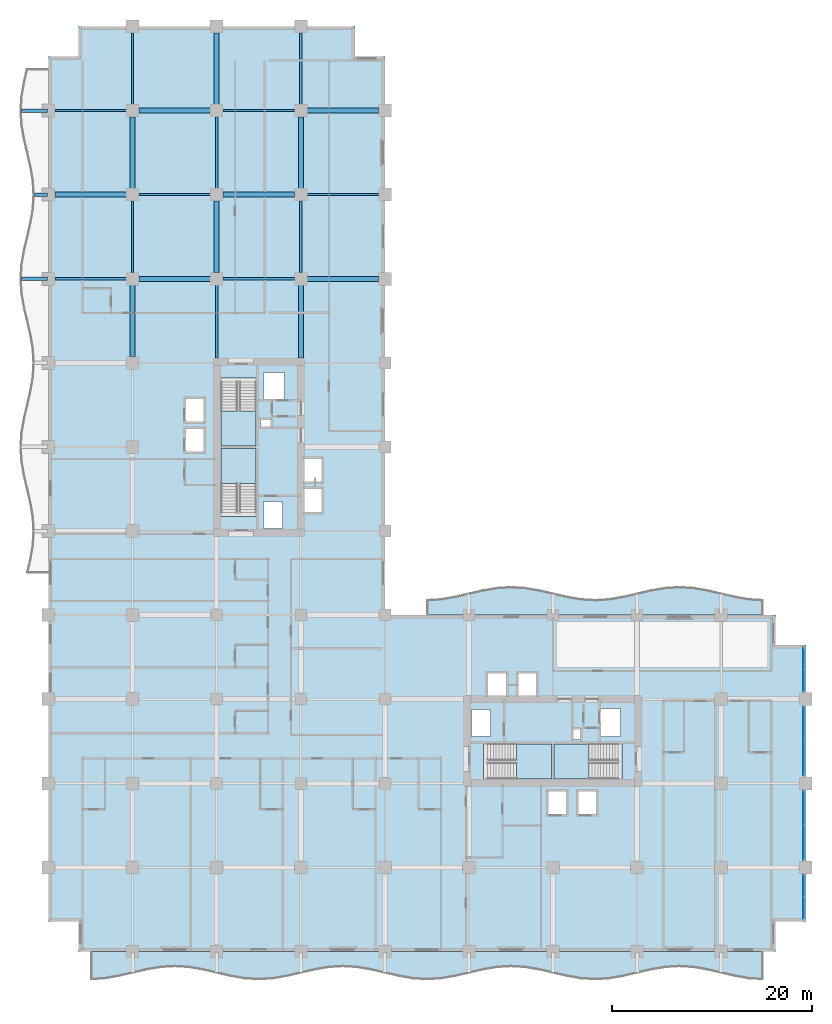
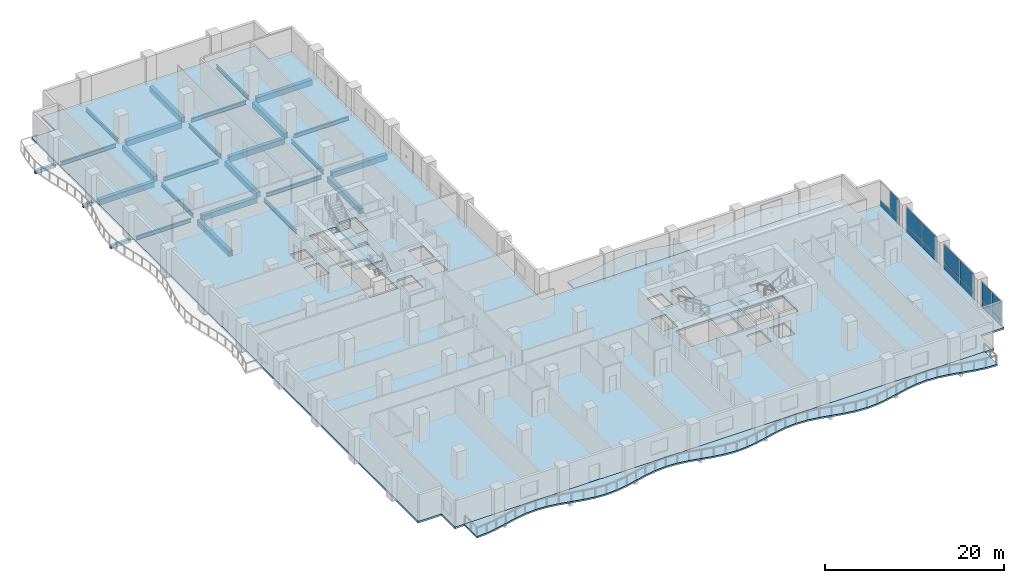
# One storey, part 7 of 23: 27 beams, 15 plates, 7 slabs, 8 elements without a shape of their own.
"""IFC4 building model written with IfcOpenShell, lengths in metres."""

from ifc_helpers import new_model, si_unit, direction, frame, origin, origin_2d, place, context, subcontext, project, spatial, polyline, rectangle, i_section, outline, extrude, material, layer, layer_set, material_profile, profile_set, type_object, element, aggregate, save


model = new_model("IFC4")

# Units and contexts
model_context = context("Model", 3, precision=1e-05, world=origin(), true_north=direction((0.0, 1.0)))
body_context = subcontext(model_context, "Body", "Model", "MODEL_VIEW")
ifc_project = project(units=[si_unit("LENGTHUNIT", "METRE"), si_unit("AREAUNIT", "SQUARE_METRE"), si_unit("VOLUMEUNIT", "CUBIC_METRE"), si_unit("PLANEANGLEUNIT", "RADIAN"), si_unit("MASSUNIT", "GRAM", prefix="KILO")], contexts=[model_context])

# Site, building, storey
site_placement = place(None, origin())
site = spatial("IfcSite", under=ifc_project, at=site_placement, CompositionType="ELEMENT")
building_placement = place(site_placement, origin())
building = spatial("IfcBuilding", under=site, at=building_placement, Name="Koriwani Terraces Tower", CompositionType="ELEMENT")
storey_placement = place(building_placement, frame((0.0, 0.0, 119.0)))
storey = spatial("IfcBuildingStorey", under=building, at=storey_placement, Name="L28", CompositionType="ELEMENT", Elevation=119.0)

# Beams
ifc_material_1 = material(Name="Concrete C40/50", Category="concrete")
ifc_material_profile_1 = material_profile(ifc_material_1, rectangle(XDim=0.35009765625, YDim=0.449951171875, at=origin_2d()), Name="Concrete C40/50", Category="LoadBearing")
ifc_profile_set_1 = profile_set([ifc_material_profile_1], Name="Concrete C40/50")
beam_type_1 = type_object("IfcBeamType", Name="BEAM_RC_BALCONY_RIB_350X450", PredefinedType="JOIST", material=ifc_profile_set_1)
beam_1_placement = place(storey_placement, frame((-2.699951171875, 67.199951171875, -0.47509765625), z_axis=(1.0, 0.0, 0.0), x_axis=(0.0, 1.0, 0.0)))
element("IfcBeam", 1, at=beam_1_placement, inside=storey, type_object=beam_type_1, Name="L28 Balcony Bracket Rib W-4", PredefinedType="JOIST", context=body_context, shape_type="SweptSolid", body=[
    extrude(rectangle(XDim=0.35009765625, YDim=0.449951171875, at=origin_2d()), origin(), (0.0, 0.0, 1.0), 2.599853515625),
])
beam_2_placement = place(storey_placement, frame((-1.39990234375, 75.60009765625, -0.47509765625), z_axis=(1.0, 0.0, 0.0), x_axis=(0.0, 1.0, 0.0)))
element("IfcBeam", 2, at=beam_2_placement, inside=storey, type_object=beam_type_1, Name="L28 Balcony Bracket Rib W-5", PredefinedType="JOIST", context=body_context, shape_type="SweptSolid", body=[
    extrude(rectangle(XDim=0.35009765625, YDim=0.449951171875, at=origin_2d()), origin(), (0.0, 0.0, 1.0), 1.2998046875),
])
beam_3_placement = place(storey_placement, frame((-2.699951171875, 84.0, -0.47509765625), z_axis=(1.0, 0.0, 0.0), x_axis=(0.0, 1.0, 0.0)))
element("IfcBeam", 3, at=beam_3_placement, inside=storey, type_object=beam_type_1, Name="L28 Balcony Bracket Rib W-6", PredefinedType="JOIST", context=body_context, shape_type="SweptSolid", body=[
    extrude(rectangle(XDim=0.35009765625, YDim=0.449951171875, at=origin_2d()), origin(), (0.0, 0.0, 1.0), 2.599853515625),
])
ifc_material_2 = material(Name="Concrete C50/60", Category="concrete")
ifc_material_profile_2 = material_profile(ifc_material_2, rectangle(XDim=0.5, YDim=0.75, at=origin_2d()), Name="Concrete C50/60", Category="LoadBearing")
ifc_profile_set_2 = profile_set([ifc_material_profile_2], Name="Concrete C50/60")
beam_type_2 = type_object("IfcBeamType", Name="BEAM_RC_GRID_500X750", PredefinedType="BEAM", material=ifc_profile_set_2)
for number, where, z_axis, x_axis, name in (
    (4, (9.030029296875, 67.199951171875, -0.625), (1.0, 0.0, 0.0), (0.0, 1.0, 0.0), "L28 Grid Beam I (8.4-16.8m)"),
    (5, (25.830078125, 67.199951171875, -0.625), (1.0, 0.0, 0.0), (0.0, 1.0, 0.0), "L28 Grid Beam I (25.2-33.6m)"),
):
    element("IfcBeam", number, at=place(storey_placement, frame(where, z_axis=z_axis, x_axis=x_axis)), inside=storey, type_object=beam_type_2, Name=name, PredefinedType="BEAM", context=body_context, shape_type="SweptSolid", body=[
        extrude(rectangle(XDim=0.5, YDim=0.75, at=origin_2d()), origin(), (0.0, 0.0, 1.0), 7.139892578125),
    ])
for number, where, z_axis, x_axis, name in (
    (6, (0.6298828125, 75.60009765625, -0.625), (1.0, 0.0, 0.0), (0.0, 1.0, 0.0), "L28 Grid Beam J (0.0-8.4m)"),
    (7, (17.429931640625, 75.60009765625, -0.625), (1.0, 0.0, 0.0), (0.0, 1.0, 0.0), "L28 Grid Beam J (16.8-25.2m)"),
):
    element("IfcBeam", number, at=place(storey_placement, frame(where, z_axis=z_axis, x_axis=x_axis)), inside=storey, type_object=beam_type_2, Name=name, PredefinedType="BEAM", context=body_context, shape_type="SweptSolid", body=[
        extrude(rectangle(XDim=0.5, YDim=0.75, at=origin_2d()), origin(), (0.0, 0.0, 1.0), 7.14013671875),
    ])
for number, where, z_axis, x_axis, name in (
    (8, (9.030029296875, 84.0, -0.625), (1.0, 0.0, 0.0), (0.0, 1.0, 0.0), "L28 Grid Beam K (8.4-16.8m)"),
    (9, (25.830078125, 84.0, -0.625), (1.0, 0.0, 0.0), (0.0, 1.0, 0.0), "L28 Grid Beam K (25.2-33.6m)"),
):
    element("IfcBeam", number, at=place(storey_placement, frame(where, z_axis=z_axis, x_axis=x_axis)), inside=storey, type_object=beam_type_2, Name=name, PredefinedType="BEAM", context=body_context, shape_type="SweptSolid", body=[
        extrude(rectangle(XDim=0.5, YDim=0.75, at=origin_2d()), origin(), (0.0, 0.0, 1.0), 7.139892578125),
    ])
for number, where, z_axis, x_axis, name in (
    (10, (8.39990234375, 59.429931640625, -0.625), (0.0, 1.0, 0.0), (-1.0, 0.0, 0.0), "L28 Grid Beam 2 (58.8-67.2m)"),
    (11, (8.39990234375, 76.22998046875, -0.625), (0.0, 1.0, 0.0), (-1.0, 0.0, 0.0), "L28 Grid Beam 2 (75.6-84.0m)"),
):
    element("IfcBeam", number, at=place(storey_placement, frame(where, z_axis=z_axis, x_axis=x_axis)), inside=storey, type_object=beam_type_2, Name=name, PredefinedType="BEAM", context=body_context, shape_type="SweptSolid", body=[
        extrude(rectangle(XDim=0.5, YDim=0.75, at=origin_2d()), origin(), (0.0, 0.0, 1.0), 7.14013671875),
    ])
beam_4_placement = place(storey_placement, frame((16.800048828125, 67.830078125, -0.625), z_axis=(0.0, 1.0, 0.0), x_axis=(-1.0, 0.0, 0.0)))
element("IfcBeam", 12, at=beam_4_placement, inside=storey, type_object=beam_type_2, Name="L28 Grid Beam 3 (67.2-75.6m)", PredefinedType="BEAM", context=body_context, shape_type="SweptSolid", body=[
    extrude(rectangle(XDim=0.5, YDim=0.75, at=origin_2d()), origin(), (0.0, 0.0, 1.0), 7.139892578125),
])
beam_5_placement = place(storey_placement, frame((16.800048828125, 84.6298828125, -0.625), z_axis=(0.0, 1.0, 0.0), x_axis=(-1.0, 0.0, 0.0)))
element("IfcBeam", 13, at=beam_5_placement, inside=storey, type_object=beam_type_2, Name="L28 Grid Beam 3 (84.0-92.4m)", PredefinedType="BEAM", context=body_context, shape_type="SweptSolid", body=[
    extrude(rectangle(XDim=0.5, YDim=0.75, at=origin_2d()), origin(), (0.0, 0.0, 1.0), 7.14013671875),
])
beam_6_placement = place(storey_placement, frame((25.199951171875, 59.280029296875, -0.625), z_axis=(0.0, 1.0, 0.0), x_axis=(-1.0, 0.0, 0.0)))
element("IfcBeam", 14, at=beam_6_placement, inside=storey, type_object=beam_type_2, Name="L28 Grid Beam 4 (58.8-67.2m)", PredefinedType="BEAM", context=body_context, shape_type="SweptSolid", body=[
    extrude(rectangle(XDim=0.5, YDim=0.75, at=origin_2d()), origin(), (0.0, 0.0, 1.0), 7.2900390625),
])
beam_7_placement = place(storey_placement, frame((25.199951171875, 76.22998046875, -0.625), z_axis=(0.0, 1.0, 0.0), x_axis=(-1.0, 0.0, 0.0)))
element("IfcBeam", 15, at=beam_7_placement, inside=storey, type_object=beam_type_2, Name="L28 Grid Beam 4 (75.6-84.0m)", PredefinedType="BEAM", context=body_context, shape_type="SweptSolid", body=[
    extrude(rectangle(XDim=0.5, YDim=0.75, at=origin_2d()), origin(), (0.0, 0.0, 1.0), 7.14013671875),
])
ifc_material_3 = material(Name="Steel ASTM A572 Grade 50", Category="steel")
ifc_material_profile_3 = material_profile(ifc_material_3, i_section(OverallWidth=0.2119140625, OverallDepth=0.54296875, WebThickness=0.0126953125, FlangeThickness=0.021240234375, at=origin_2d()), Name="Steel ASTM A572 Grade 50", Category="LoadBearing")
ifc_profile_set_3 = profile_set([ifc_material_profile_3], Name="Steel ASTM A572 Grade 50")
beam_type_3 = type_object("IfcBeamType", Name="STEEL_BEAM_W530X150", PredefinedType="BEAM", material=ifc_profile_set_3)
for number, where, z_axis, x_axis, name in (
    (16, (0.6298828125, 67.199951171875, -0.521484375), (1.0, 0.0, 0.0), (0.0, 1.0, 0.0), "L28 Grid Beam I (0.0-8.4m)"),
    (17, (17.429931640625, 67.199951171875, -0.521484375), (1.0, 0.0, 0.0), (0.0, 1.0, 0.0), "L28 Grid Beam I (16.8-25.2m)"),
):
    element("IfcBeam", number, at=place(storey_placement, frame(where, z_axis=z_axis, x_axis=x_axis)), inside=storey, type_object=beam_type_3, Name=name, PredefinedType="BEAM", context=body_context, shape_type="SweptSolid", body=[
        extrude(i_section(OverallWidth=0.2119140625, OverallDepth=0.54296875, WebThickness=0.0126953125, FlangeThickness=0.021240234375, at=origin_2d()), origin(), (0.0, 0.0, 1.0), 7.14013671875),
    ])
for number, where, z_axis, x_axis, name in (
    (18, (9.030029296875, 75.60009765625, -0.521484375), (1.0, 0.0, 0.0), (0.0, 1.0, 0.0), "L28 Grid Beam J (8.4-16.8m)"),
    (19, (25.830078125, 75.60009765625, -0.521484375), (1.0, 0.0, 0.0), (0.0, 1.0, 0.0), "L28 Grid Beam J (25.2-33.6m)"),
):
    element("IfcBeam", number, at=place(storey_placement, frame(where, z_axis=z_axis, x_axis=x_axis)), inside=storey, type_object=beam_type_3, Name=name, PredefinedType="BEAM", context=body_context, shape_type="SweptSolid", body=[
        extrude(i_section(OverallWidth=0.2119140625, OverallDepth=0.54296875, WebThickness=0.0126953125, FlangeThickness=0.021240234375, at=origin_2d()), origin(), (0.0, 0.0, 1.0), 7.139892578125),
    ])
for number, where, z_axis, x_axis, name in (
    (20, (0.6298828125, 84.0, -0.521484375), (1.0, 0.0, 0.0), (0.0, 1.0, 0.0), "L28 Grid Beam K (0.0-8.4m)"),
    (21, (17.429931640625, 84.0, -0.521484375), (1.0, 0.0, 0.0), (0.0, 1.0, 0.0), "L28 Grid Beam K (16.8-25.2m)"),
):
    element("IfcBeam", number, at=place(storey_placement, frame(where, z_axis=z_axis, x_axis=x_axis)), inside=storey, type_object=beam_type_3, Name=name, PredefinedType="BEAM", context=body_context, shape_type="SweptSolid", body=[
        extrude(i_section(OverallWidth=0.2119140625, OverallDepth=0.54296875, WebThickness=0.0126953125, FlangeThickness=0.021240234375, at=origin_2d()), origin(), (0.0, 0.0, 1.0), 7.14013671875),
    ])
beam_8_placement = place(storey_placement, frame((8.39990234375, 67.830078125, -0.521484375), z_axis=(0.0, 1.0, 0.0), x_axis=(-1.0, 0.0, 0.0)))
element("IfcBeam", 22, at=beam_8_placement, inside=storey, type_object=beam_type_3, Name="L28 Grid Beam 2 (67.2-75.6m)", PredefinedType="BEAM", context=body_context, shape_type="SweptSolid", body=[
    extrude(i_section(OverallWidth=0.2119140625, OverallDepth=0.54296875, WebThickness=0.0126953125, FlangeThickness=0.021240234375, at=origin_2d()), origin(), (0.0, 0.0, 1.0), 7.139892578125),
])
beam_9_placement = place(storey_placement, frame((8.39990234375, 84.6298828125, -0.521484375), z_axis=(0.0, 1.0, 0.0), x_axis=(-1.0, 0.0, 0.0)))
element("IfcBeam", 23, at=beam_9_placement, inside=storey, type_object=beam_type_3, Name="L28 Grid Beam 2 (84.0-92.4m)", PredefinedType="BEAM", context=body_context, shape_type="SweptSolid", body=[
    extrude(i_section(OverallWidth=0.2119140625, OverallDepth=0.54296875, WebThickness=0.0126953125, FlangeThickness=0.021240234375, at=origin_2d()), origin(), (0.0, 0.0, 1.0), 7.14013671875),
])
beam_10_placement = place(storey_placement, frame((16.800048828125, 59.280029296875, -0.521484375), z_axis=(0.0, 1.0, 0.0), x_axis=(-1.0, 0.0, 0.0)))
element("IfcBeam", 24, at=beam_10_placement, inside=storey, type_object=beam_type_3, Name="L28 Grid Beam 3 (58.8-67.2m)", PredefinedType="BEAM", context=body_context, shape_type="SweptSolid", body=[
    extrude(i_section(OverallWidth=0.2119140625, OverallDepth=0.54296875, WebThickness=0.0126953125, FlangeThickness=0.021240234375, at=origin_2d()), origin(), (0.0, 0.0, 1.0), 7.2900390625),
])
beam_11_placement = place(storey_placement, frame((16.800048828125, 76.22998046875, -0.521484375), z_axis=(0.0, 1.0, 0.0), x_axis=(-1.0, 0.0, 0.0)))
element("IfcBeam", 25, at=beam_11_placement, inside=storey, type_object=beam_type_3, Name="L28 Grid Beam 3 (75.6-84.0m)", PredefinedType="BEAM", context=body_context, shape_type="SweptSolid", body=[
    extrude(i_section(OverallWidth=0.2119140625, OverallDepth=0.54296875, WebThickness=0.0126953125, FlangeThickness=0.021240234375, at=origin_2d()), origin(), (0.0, 0.0, 1.0), 7.14013671875),
])
beam_12_placement = place(storey_placement, frame((25.199951171875, 67.830078125, -0.521484375), z_axis=(0.0, 1.0, 0.0), x_axis=(-1.0, 0.0, 0.0)))
element("IfcBeam", 26, at=beam_12_placement, inside=storey, type_object=beam_type_3, Name="L28 Grid Beam 4 (67.2-75.6m)", PredefinedType="BEAM", context=body_context, shape_type="SweptSolid", body=[
    extrude(i_section(OverallWidth=0.2119140625, OverallDepth=0.54296875, WebThickness=0.0126953125, FlangeThickness=0.021240234375, at=origin_2d()), origin(), (0.0, 0.0, 1.0), 7.139892578125),
])
beam_13_placement = place(storey_placement, frame((25.199951171875, 84.6298828125, -0.521484375), z_axis=(0.0, 1.0, 0.0), x_axis=(-1.0, 0.0, 0.0)))
element("IfcBeam", 27, at=beam_13_placement, inside=storey, type_object=beam_type_3, Name="L28 Grid Beam 4 (84.0-92.4m)", PredefinedType="BEAM", context=body_context, shape_type="SweptSolid", body=[
    extrude(i_section(OverallWidth=0.2119140625, OverallDepth=0.54296875, WebThickness=0.0126953125, FlangeThickness=0.021240234375, at=origin_2d()), origin(), (0.0, 0.0, 1.0), 7.14013671875),
])

# Curtain wall, plates
ifc_material_4 = material(Name="Anodised Bronze Aluminium", Category="aluminium")
ifc_layer_1 = layer(ifc_material_4, 0.179931640625, Name="Anodised Bronze Aluminium")
ifc_layer_set_1 = layer_set([ifc_layer_1], Name="Anodised Bronze Aluminium")
curtain_wall_type = type_object("IfcCurtainWallType", Name="CW_HOTEL_ZONE2", PredefinedType="NOTDEFINED", material=ifc_layer_set_1)
curtain_wall_1_placement = place(storey_placement, origin())
curtain_wall_1 = element("IfcCurtainWall", 28, at=curtain_wall_1_placement, inside=storey, type_object=curtain_wall_type, Name="L28 Unitised Curtain Wall (E_TIP) Bay 1", PredefinedType="NOTDEFINED")
ifc_material_5 = material(Name="Tempered Laminated Low-E Glass", Category="glass")
ifc_layer_2 = layer(ifc_material_5, 0.028076171875, Name="Tempered Laminated Low-E Glass")
ifc_layer_set_2 = layer_set([ifc_layer_2], Name="Tempered Laminated Low-E Glass")
plate_type = type_object("IfcPlateType", Name="CW_PANEL_VISION_28", PredefinedType="CURTAIN_PANEL", material=ifc_layer_set_2)
plate_1_placement = place(storey_placement, frame((75.425048828125, 29.277587890625, 0.06494140625), z_axis=(0.0, 0.0, 1.0), x_axis=(0.0, -1.0, 0.0)))
plate_1 = element("IfcPlate", 29, at=plate_1_placement, type_object=plate_type, Name="CW-Z2 panel 1.1", PredefinedType="CURTAIN_PANEL", context=body_context, shape_type="SweptSolid", body=[
    extrude(rectangle(XDim=2.14501953125, YDim=0.028076171875, at=origin_2d()), origin(), (0.0, 0.0, 1.0), 0.802490234375),
])
plate_2_placement = place(storey_placement, frame((75.425048828125, 27.0576171875, 0.06494140625), z_axis=(0.0, 0.0, 1.0), x_axis=(0.0, -1.0, 0.0)))
plate_2 = element("IfcPlate", 30, at=plate_2_placement, type_object=plate_type, Name="CW-Z2 panel 2.1", PredefinedType="CURTAIN_PANEL", context=body_context, shape_type="SweptSolid", body=[
    extrude(rectangle(XDim=2.14501953125, YDim=0.028076171875, at=origin_2d()), origin(), (0.0, 0.0, 1.0), 0.802490234375),
])
plate_3_placement = place(storey_placement, frame((75.425048828125, 27.0576171875, 0.9326171875), z_axis=(0.0, 0.0, 1.0), x_axis=(0.0, -1.0, 0.0)))
plate_3 = element("IfcPlate", 31, at=plate_3_placement, type_object=plate_type, Name="CW-Z2 panel 2.2", PredefinedType="CURTAIN_PANEL", context=body_context, shape_type="SweptSolid", body=[
    extrude(rectangle(XDim=2.14501953125, YDim=0.028076171875, at=origin_2d()), origin(), (0.0, 0.0, 1.0), 2.552490234375),
])
aggregate(curtain_wall_1, [plate_1, plate_2, plate_3])

curtain_wall_2_placement = place(storey_placement, origin())
curtain_wall_2 = element("IfcCurtainWall", 32, at=curtain_wall_2_placement, inside=storey, type_object=curtain_wall_type, Name="L28 Unitised Curtain Wall (E_TIP) Bay 2", PredefinedType="NOTDEFINED")
plate_4_placement = place(storey_placement, frame((75.425048828125, 22.726318359375, 0.06494140625), z_axis=(0.0, 0.0, 1.0), x_axis=(0.0, -1.0, 0.0)))
plate_4 = element("IfcPlate", 33, at=plate_4_placement, type_object=plate_type, Name="CW-Z2 panel 1.1", PredefinedType="CURTAIN_PANEL", context=body_context, shape_type="SweptSolid", body=[
    extrude(rectangle(XDim=3.37744140625, YDim=0.028076171875, at=origin_2d()), origin(), (0.0, 0.0, 1.0), 0.802490234375),
])
plate_5_placement = place(storey_placement, frame((75.425048828125, 22.726318359375, 0.9326171875), z_axis=(0.0, 0.0, 1.0), x_axis=(0.0, -1.0, 0.0)))
plate_5 = element("IfcPlate", 34, at=plate_5_placement, type_object=plate_type, Name="CW-Z2 panel 1.2", PredefinedType="CURTAIN_PANEL", context=body_context, shape_type="SweptSolid", body=[
    extrude(rectangle(XDim=3.37744140625, YDim=0.028076171875, at=origin_2d()), origin(), (0.0, 0.0, 1.0), 2.552490234375),
])
plate_6_placement = place(storey_placement, frame((75.425048828125, 19.273681640625, 0.06494140625), z_axis=(0.0, 0.0, 1.0), x_axis=(0.0, -1.0, 0.0)))
plate_6 = element("IfcPlate", 35, at=plate_6_placement, type_object=plate_type, Name="CW-Z2 panel 2.1", PredefinedType="CURTAIN_PANEL", context=body_context, shape_type="SweptSolid", body=[
    extrude(rectangle(XDim=3.37744140625, YDim=0.028076171875, at=origin_2d()), origin(), (0.0, 0.0, 1.0), 0.802490234375),
])
plate_7_placement = place(storey_placement, frame((75.425048828125, 19.273681640625, 0.9326171875), z_axis=(0.0, 0.0, 1.0), x_axis=(0.0, -1.0, 0.0)))
plate_7 = element("IfcPlate", 36, at=plate_7_placement, type_object=plate_type, Name="CW-Z2 panel 2.2", PredefinedType="CURTAIN_PANEL", context=body_context, shape_type="SweptSolid", body=[
    extrude(rectangle(XDim=3.37744140625, YDim=0.028076171875, at=origin_2d()), origin(), (0.0, 0.0, 1.0), 2.552490234375),
])
aggregate(curtain_wall_2, [plate_4, plate_5, plate_6, plate_7])

curtain_wall_3_placement = place(storey_placement, origin())
curtain_wall_3 = element("IfcCurtainWall", 37, at=curtain_wall_3_placement, inside=storey, type_object=curtain_wall_type, Name="L28 Unitised Curtain Wall (E_TIP) Bay 3", PredefinedType="NOTDEFINED")
plate_8_placement = place(storey_placement, frame((75.425048828125, 14.326171875, 0.06494140625), z_axis=(0.0, 0.0, 1.0), x_axis=(0.0, -1.0, 0.0)))
plate_8 = element("IfcPlate", 38, at=plate_8_placement, type_object=plate_type, Name="CW-Z2 panel 1.1", PredefinedType="CURTAIN_PANEL", context=body_context, shape_type="SweptSolid", body=[
    extrude(rectangle(XDim=3.37744140625, YDim=0.028076171875, at=origin_2d()), origin(), (0.0, 0.0, 1.0), 0.802490234375),
])
plate_9_placement = place(storey_placement, frame((75.425048828125, 14.326171875, 0.9326171875), z_axis=(0.0, 0.0, 1.0), x_axis=(0.0, -1.0, 0.0)))
plate_9 = element("IfcPlate", 39, at=plate_9_placement, type_object=plate_type, Name="CW-Z2 panel 1.2", PredefinedType="CURTAIN_PANEL", context=body_context, shape_type="SweptSolid", body=[
    extrude(rectangle(XDim=3.37744140625, YDim=0.028076171875, at=origin_2d()), origin(), (0.0, 0.0, 1.0), 2.552490234375),
])
plate_10_placement = place(storey_placement, frame((75.425048828125, 10.873779296875, 0.06494140625), z_axis=(0.0, 0.0, 1.0), x_axis=(0.0, -1.0, 0.0)))
plate_10 = element("IfcPlate", 40, at=plate_10_placement, type_object=plate_type, Name="CW-Z2 panel 2.1", PredefinedType="CURTAIN_PANEL", context=body_context, shape_type="SweptSolid", body=[
    extrude(rectangle(XDim=3.37744140625, YDim=0.028076171875, at=origin_2d()), origin(), (0.0, 0.0, 1.0), 0.802490234375),
])
plate_11_placement = place(storey_placement, frame((75.425048828125, 10.873779296875, 0.9326171875), z_axis=(0.0, 0.0, 1.0), x_axis=(0.0, -1.0, 0.0)))
plate_11 = element("IfcPlate", 41, at=plate_11_placement, type_object=plate_type, Name="CW-Z2 panel 2.2", PredefinedType="CURTAIN_PANEL", context=body_context, shape_type="SweptSolid", body=[
    extrude(rectangle(XDim=3.37744140625, YDim=0.028076171875, at=origin_2d()), origin(), (0.0, 0.0, 1.0), 2.552490234375),
])
aggregate(curtain_wall_3, [plate_8, plate_9, plate_10, plate_11])

curtain_wall_4_placement = place(storey_placement, origin())
curtain_wall_4 = element("IfcCurtainWall", 42, at=curtain_wall_4_placement, inside=storey, type_object=curtain_wall_type, Name="L28 Unitised Curtain Wall (E_TIP) Bay 4", PredefinedType="NOTDEFINED")
plate_12_placement = place(storey_placement, frame((75.425048828125, 6.54248046875, 0.06494140625), z_axis=(0.0, 0.0, 1.0), x_axis=(0.0, -1.0, 0.0)))
plate_12 = element("IfcPlate", 43, at=plate_12_placement, type_object=plate_type, Name="CW-Z2 panel 1.1", PredefinedType="CURTAIN_PANEL", context=body_context, shape_type="SweptSolid", body=[
    extrude(rectangle(XDim=2.14501953125, YDim=0.028076171875, at=origin_2d()), origin(), (0.0, 0.0, 1.0), 0.802490234375),
])
plate_13_placement = place(storey_placement, frame((75.425048828125, 6.54248046875, 0.9326171875), z_axis=(0.0, 0.0, 1.0), x_axis=(0.0, -1.0, 0.0)))
plate_13 = element("IfcPlate", 44, at=plate_13_placement, type_object=plate_type, Name="CW-Z2 panel 1.2", PredefinedType="CURTAIN_PANEL", context=body_context, shape_type="SweptSolid", body=[
    extrude(rectangle(XDim=2.14501953125, YDim=0.028076171875, at=origin_2d()), origin(), (0.0, 0.0, 1.0), 2.552490234375),
])
plate_14_placement = place(storey_placement, frame((75.425048828125, 4.322509765625, 0.06494140625), z_axis=(0.0, 0.0, 1.0), x_axis=(0.0, -1.0, 0.0)))
plate_14 = element("IfcPlate", 45, at=plate_14_placement, type_object=plate_type, Name="CW-Z2 panel 2.1", PredefinedType="CURTAIN_PANEL", context=body_context, shape_type="SweptSolid", body=[
    extrude(rectangle(XDim=2.14501953125, YDim=0.028076171875, at=origin_2d()), origin(), (0.0, 0.0, 1.0), 0.802490234375),
])
plate_15_placement = place(storey_placement, frame((75.425048828125, 4.322509765625, 0.9326171875), z_axis=(0.0, 0.0, 1.0), x_axis=(0.0, -1.0, 0.0)))
plate_15 = element("IfcPlate", 46, at=plate_15_placement, type_object=plate_type, Name="CW-Z2 panel 2.2", PredefinedType="CURTAIN_PANEL", context=body_context, shape_type="SweptSolid", body=[
    extrude(rectangle(XDim=2.14501953125, YDim=0.028076171875, at=origin_2d()), origin(), (0.0, 0.0, 1.0), 2.552490234375),
])
aggregate(curtain_wall_4, [plate_12, plate_13, plate_14, plate_15])

# Slabs
ifc_layer_3 = layer(ifc_material_1, 0.219970703125, Name="Concrete C40/50")
ifc_layer_set_3 = layer_set([ifc_layer_3], Name="Concrete C40/50")
slab_type_1 = type_object("IfcSlabType", Name="SLAB_BALCONY_220", PredefinedType="FLOOR", material=ifc_layer_set_3)
slab_1_placement = place(storey_placement, frame((0.0, 0.0, -0.219970703125)))
element("IfcSlab", 47, at=slab_1_placement, inside=storey, type_object=slab_type_1, Name="L28 Quilted Circular-Arc Balcony (S)", PredefinedType="FLOOR", context=body_context, shape_type="SweptSolid", body=[
    extrude(outline(polyline([(4.199951171875, 0.0), (5.60009765625, 0.0), (7.0, 0.0), (8.39990234375, 0.0), (9.800048828125, 0.0), (11.199951171875, 0.0), (12.60009765625, 0.0), (14.0, 0.0), (15.39990234375, 0.0), (16.800048828125, 0.0), (18.199951171875, 0.0), (19.60009765625, 0.0), (21.0, 0.0), (22.39990234375, 0.0), (23.800048828125, 0.0), (25.199951171875, 0.0), (26.60009765625, 0.0), (28.0, 0.0), (29.39990234375, 0.0), (30.800048828125, 0.0), (32.199951171875, 0.0), (33.60009765625, 0.0), (35.0, 0.0), (36.39990234375, 0.0), (37.800048828125, 0.0), (39.199951171875, 0.0), (40.60009765625, 0.0), (42.0, 0.0), (43.39990234375, 0.0), (44.800048828125, 0.0), (46.199951171875, 0.0), (47.60009765625, 0.0), (49.0, 0.0), (50.39990234375, 0.0), (51.800048828125, 0.0), (53.199951171875, 0.0), (54.60009765625, 0.0), (56.0, 0.0), (57.39990234375, 0.0), (58.800048828125, 0.0), (60.199951171875, 0.0), (61.60009765625, 0.0), (63.0, 0.0), (64.39990234375, 0.0), (65.800048828125, 0.0), (67.199951171875, 0.0), (68.60009765625, 0.0), (70.0, 0.0), (71.39990234375, 0.0), (71.39990234375, -2.85009765625), (70.0, -2.762939453125), (68.60009765625, -2.52490234375), (67.199951171875, -2.199951171875), (65.800048828125, -1.875), (64.39990234375, -1.63720703125), (63.0, -1.550048828125), (61.60009765625, -1.63720703125), (60.199951171875, -1.875), (58.800048828125, -2.199951171875), (57.39990234375, -2.52490234375), (56.0, -2.762939453125), (54.60009765625, -2.85009765625), (53.199951171875, -2.762939453125), (51.800048828125, -2.52490234375), (50.39990234375, -2.199951171875), (49.0, -1.875), (47.60009765625, -1.63720703125), (46.199951171875, -1.550048828125), (44.800048828125, -1.63720703125), (43.39990234375, -1.875), (42.0, -2.199951171875), (40.60009765625, -2.52490234375), (39.199951171875, -2.762939453125), (37.800048828125, -2.85009765625), (36.39990234375, -2.762939453125), (35.0, -2.52490234375), (33.60009765625, -2.199951171875), (32.199951171875, -1.875), (30.800048828125, -1.63720703125), (29.39990234375, -1.550048828125), (28.0, -1.63720703125), (26.60009765625, -1.875), (25.199951171875, -2.199951171875), (23.800048828125, -2.52490234375), (22.39990234375, -2.762939453125), (21.0, -2.85009765625), (19.60009765625, -2.762939453125), (18.199951171875, -2.52490234375), (16.800048828125, -2.199951171875), (15.39990234375, -1.875), (14.0, -1.63720703125), (12.60009765625, -1.550048828125), (11.199951171875, -1.63720703125), (9.800048828125, -1.875), (8.39990234375, -2.199951171875), (7.0, -2.52490234375), (5.60009765625, -2.762939453125), (4.199951171875, -2.85009765625), (4.199951171875, 0.0)])), origin(), (0.0, 0.0, 1.0), 0.219970703125),
])
slab_2_placement = place(storey_placement, frame((0.0, 0.0, -0.219970703125)))
element("IfcSlab", 48, at=slab_2_placement, inside=storey, type_object=slab_type_1, Name="L28 Quilted Circular-Arc Balcony (NE)", PredefinedType="FLOOR", context=body_context, shape_type="SweptSolid", body=[
    extrude(outline(polyline([(71.39990234375, 33.60009765625), (70.0, 33.60009765625), (68.60009765625, 33.60009765625), (67.199951171875, 33.60009765625), (65.800048828125, 33.60009765625), (64.39990234375, 33.60009765625), (63.0, 33.60009765625), (61.60009765625, 33.60009765625), (60.199951171875, 33.60009765625), (58.800048828125, 33.60009765625), (57.39990234375, 33.60009765625), (56.0, 33.60009765625), (54.60009765625, 33.60009765625), (53.199951171875, 33.60009765625), (51.800048828125, 33.60009765625), (50.39990234375, 33.60009765625), (49.0, 33.60009765625), (47.60009765625, 33.60009765625), (46.199951171875, 33.60009765625), (44.800048828125, 33.60009765625), (43.39990234375, 33.60009765625), (42.0, 33.60009765625), (40.60009765625, 33.60009765625), (39.199951171875, 33.60009765625), (37.800048828125, 33.60009765625), (37.800048828125, 35.14990234375), (39.199951171875, 35.237060546875), (40.60009765625, 35.47509765625), (42.0, 35.800048828125), (43.39990234375, 36.125), (44.800048828125, 36.36279296875), (46.199951171875, 36.449951171875), (47.60009765625, 36.36279296875), (49.0, 36.125), (50.39990234375, 35.800048828125), (51.800048828125, 35.47509765625), (53.199951171875, 35.237060546875), (54.60009765625, 35.14990234375), (56.0, 35.237060546875), (57.39990234375, 35.47509765625), (58.800048828125, 35.800048828125), (60.199951171875, 36.125), (61.60009765625, 36.36279296875), (63.0, 36.449951171875), (64.39990234375, 36.36279296875), (65.800048828125, 36.125), (67.199951171875, 35.800048828125), (68.60009765625, 35.47509765625), (70.0, 35.237060546875), (71.39990234375, 35.14990234375), (71.39990234375, 33.60009765625)])), origin(), (0.0, 0.0, 1.0), 0.219970703125),
])

# Stair, slab
stair_type = type_object("IfcStairType", Name="STAIR_CORE_DOGLEG_1650", PredefinedType="TWO_STRAIGHT_RUN_STAIR", material=ifc_material_1)
stair_1_placement = place(storey_placement, origin())
stair_1 = element("IfcStair", 49, at=stair_1_placement, inside=storey, type_object=stair_type, Name="L28 West Core Exit Stair 1", PredefinedType="HALF_TURN_STAIR")
ifc_layer_4 = layer(ifc_material_1, 0.199951171875, Name="Concrete C40/50")
ifc_layer_set_4 = layer_set([ifc_layer_4], Name="Concrete C40/50")
slab_type_2 = type_object("IfcSlabType", Name="SLAB_STAIR_LANDING_200", PredefinedType="LANDING", material=ifc_layer_set_4)
slab_3_placement = place(storey_placement, frame((0.0, 0.0, 1.699951171875)))
slab_3 = element("IfcSlab", 50, at=slab_3_placement, type_object=slab_type_2, Name="ST-W1 landing 1", PredefinedType="LANDING", context=body_context, shape_type="SweptSolid", body=[
    extrude(outline(polyline([(20.75, 46.75), (20.75, 50.25), (17.25, 50.25), (17.25, 46.75), (20.75, 46.75)])), origin(), (0.0, 0.0, 1.0), 0.199951171875),
])
aggregate(stair_1, [slab_3])

stair_2_placement = place(storey_placement, origin())
stair_2 = element("IfcStair", 51, at=stair_2_placement, inside=storey, type_object=stair_type, Name="L28 West Core Exit Stair 2", PredefinedType="HALF_TURN_STAIR")
slab_4_placement = place(storey_placement, frame((0.0, 0.0, 1.699951171875)))
slab_4 = element("IfcSlab", 52, at=slab_4_placement, type_object=slab_type_2, Name="ST-W2 landing 1", PredefinedType="LANDING", context=body_context, shape_type="SweptSolid", body=[
    extrude(outline(polyline([(17.25, 54.0), (17.25, 50.5), (20.75, 50.5), (20.75, 54.0), (17.25, 54.0)])), origin(), (0.0, 0.0, 1.0), 0.199951171875),
])
aggregate(stair_2, [slab_4])

stair_3_placement = place(storey_placement, origin())
stair_3 = element("IfcStair", 53, at=stair_3_placement, inside=storey, type_object=stair_type, Name="L28 East Core Exit Stair 1", PredefinedType="HALF_TURN_STAIR")
slab_5_placement = place(storey_placement, frame((0.0, 0.0, 1.699951171875)))
slab_5 = element("IfcSlab", 54, at=slab_5_placement, type_object=slab_type_2, Name="ST-E1 landing 1", PredefinedType="LANDING", context=body_context, shape_type="SweptSolid", body=[
    extrude(outline(polyline([(46.75, 17.25), (50.25, 17.25), (50.25, 20.75), (46.75, 20.75), (46.75, 17.25)])), origin(), (0.0, 0.0, 1.0), 0.199951171875),
])
aggregate(stair_3, [slab_5])

stair_4_placement = place(storey_placement, origin())
stair_4 = element("IfcStair", 55, at=stair_4_placement, inside=storey, type_object=stair_type, Name="L28 East Core Exit Stair 2", PredefinedType="HALF_TURN_STAIR")
slab_6_placement = place(storey_placement, frame((0.0, 0.0, 1.699951171875)))
slab_6 = element("IfcSlab", 56, at=slab_6_placement, type_object=slab_type_2, Name="ST-E2 landing 1", PredefinedType="LANDING", context=body_context, shape_type="SweptSolid", body=[
    extrude(outline(polyline([(54.0, 20.75), (50.5, 20.75), (50.5, 17.25), (54.0, 17.25), (54.0, 20.75)])), origin(), (0.0, 0.0, 1.0), 0.199951171875),
])
aggregate(stair_4, [slab_6])

# Slab
ifc_layer_5 = layer(ifc_material_1, 0.25, Name="Concrete C40/50")
ifc_layer_set_5 = layer_set([ifc_layer_5], Name="Concrete C40/50")
slab_type_3 = type_object("IfcSlabType", Name="SLAB_TOWER_TYP_250", PredefinedType="FLOOR", material=ifc_layer_set_5)
slab_7_placement = place(storey_placement, frame((0.0, 0.0, -0.25)))
element("IfcSlab", 57, at=slab_7_placement, inside=storey, type_object=slab_type_3, Name="L28 Structural Floor Slab", PredefinedType="FLOOR", context=body_context, shape_type="SweptSolid", body=[
    extrude(outline(polyline([(3.0, 0.0), (72.60009765625, 0.0), (72.60009765625, 3.0), (75.60009765625, 3.0), (75.60009765625, 30.60009765625), (72.60009765625, 30.60009765625), (72.60009765625, 33.60009765625), (33.60009765625, 33.60009765625), (33.60009765625, 89.39990234375), (30.60009765625, 89.39990234375), (30.60009765625, 92.39990234375), (3.0, 92.39990234375), (3.0, 89.39990234375), (0.0, 89.39990234375), (0.0, 3.0), (3.0, 3.0), (3.0, 0.0)]), holes=[polyline([(17.25, 43.4599609375), (20.75, 43.4599609375), (20.75, 50.25), (17.25, 50.25), (17.25, 43.4599609375)]), polyline([(17.25, 50.5), (20.75, 50.5), (20.75, 57.2900390625), (17.25, 57.2900390625), (17.25, 50.5)]), polyline([(43.4599609375, 17.25), (50.25, 17.25), (50.25, 20.75), (43.4599609375, 20.75), (43.4599609375, 17.25)]), polyline([(50.5, 17.25), (57.2900390625, 17.25), (57.2900390625, 20.75), (50.5, 20.75), (50.5, 17.25)]), polyline([(13.64990234375, 49.85009765625), (15.550048828125, 49.85009765625), (15.550048828125, 52.25), (13.64990234375, 52.25), (13.64990234375, 49.85009765625)]), polyline([(13.64990234375, 52.85009765625), (15.550048828125, 52.85009765625), (15.550048828125, 55.25), (13.64990234375, 55.25), (13.64990234375, 52.85009765625)]), polyline([(49.85009765625, 13.64990234375), (51.75, 13.64990234375), (51.75, 16.050048828125), (49.85009765625, 16.050048828125), (49.85009765625, 13.64990234375)]), polyline([(52.85009765625, 13.64990234375), (54.75, 13.64990234375), (54.75, 16.050048828125), (52.85009765625, 16.050048828125), (52.85009765625, 13.64990234375)]), polyline([(25.449951171875, 43.85009765625), (27.35009765625, 43.85009765625), (27.35009765625, 46.25), (25.449951171875, 46.25), (25.449951171875, 43.85009765625)]), polyline([(25.449951171875, 46.85009765625), (27.35009765625, 46.85009765625), (27.35009765625, 49.25), (25.449951171875, 49.25), (25.449951171875, 46.85009765625)]), polyline([(43.85009765625, 25.449951171875), (45.75, 25.449951171875), (45.75, 27.85009765625), (43.85009765625, 27.85009765625), (43.85009765625, 25.449951171875)]), polyline([(46.85009765625, 25.449951171875), (48.75, 25.449951171875), (48.75, 27.85009765625), (46.85009765625, 27.85009765625), (46.85009765625, 25.449951171875)]), polyline([(21.449951171875, 55.050048828125), (23.550048828125, 55.050048828125), (23.550048828125, 57.85009765625), (21.449951171875, 57.85009765625), (21.449951171875, 55.050048828125)]), polyline([(55.050048828125, 21.449951171875), (57.14990234375, 21.449951171875), (57.14990234375, 24.25), (55.050048828125, 24.25), (55.050048828125, 21.449951171875)]), polyline([(21.449951171875, 42.25), (23.35009765625, 42.25), (23.35009765625, 44.949951171875), (21.449951171875, 44.949951171875), (21.449951171875, 42.25)]), polyline([(42.25, 21.449951171875), (44.14990234375, 21.449951171875), (44.14990234375, 24.14990234375), (42.25, 24.14990234375), (42.25, 21.449951171875)]), polyline([(21.14990234375, 52.419921875), (22.219970703125, 52.419921875), (22.219970703125, 53.179931640625), (21.14990234375, 53.179931640625), (21.14990234375, 52.419921875)]), polyline([(52.419921875, 21.14990234375), (53.179931640625, 21.14990234375), (53.179931640625, 22.219970703125), (52.419921875, 22.219970703125), (52.419921875, 21.14990234375)])]), origin(), (0.0, 0.0, 1.0), 0.25),
])

save(model, "model.ifc")
